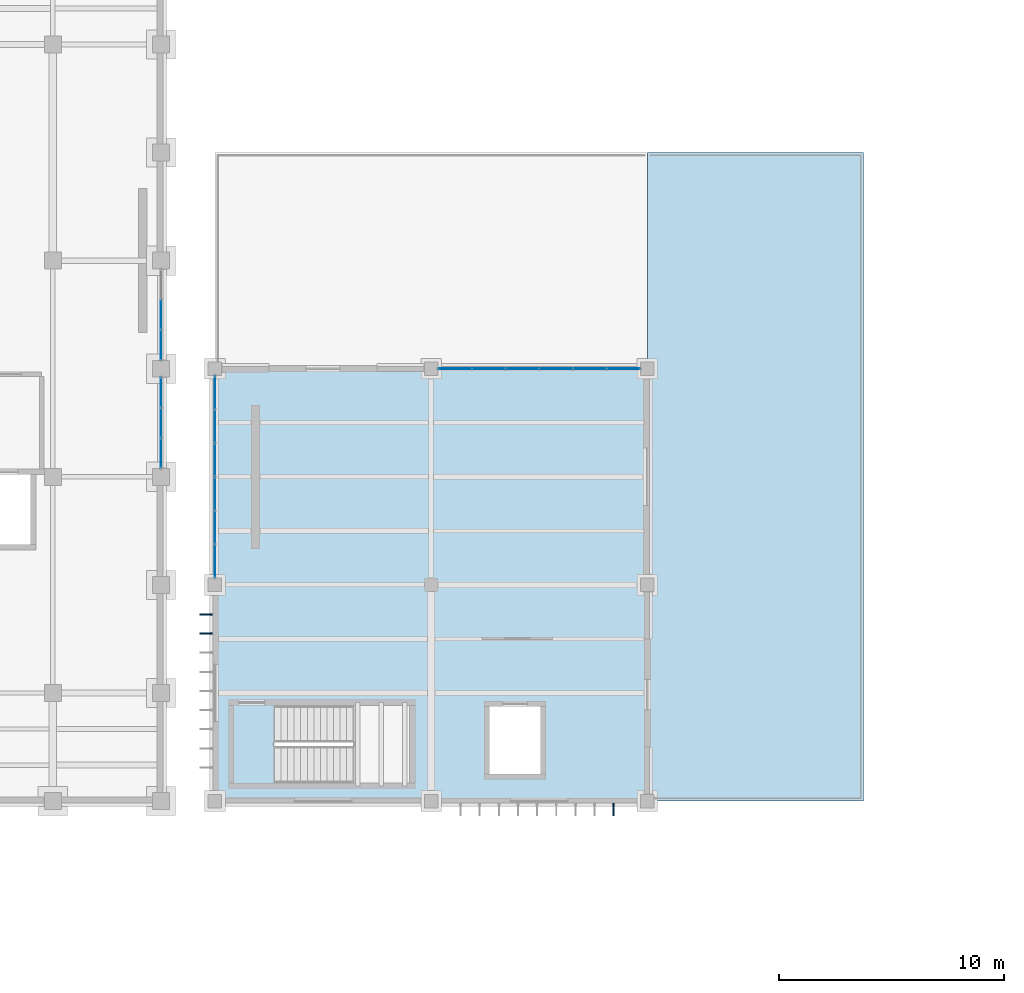
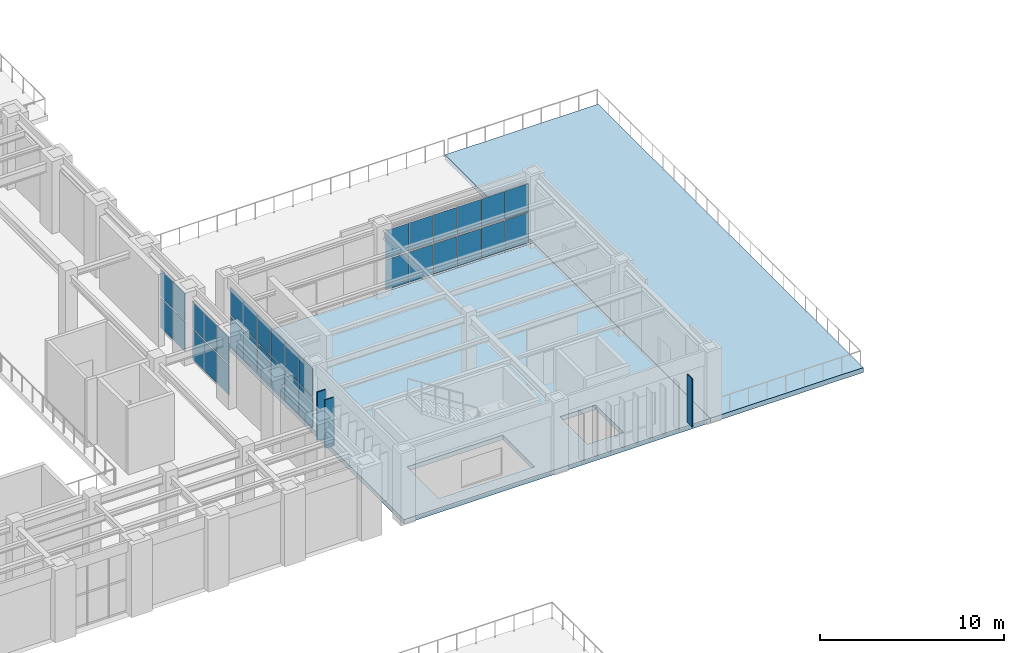
# One storey, part 49 of 83: 37 plates, 2 slabs, 4 elements without a shape of their own.
"""IFC4 building model written with IfcOpenShell, lengths in metres."""

from ifc_helpers import new_model, si_unit, direction, frame, origin, origin_2d, place, context, subcontext, project, spatial, polyline, rectangle, outline, extrude, material, layer, layer_set, type_object, element, aggregate, save


model = new_model("IFC4")

# Units and contexts
model_context = context("Model", 3, precision=1e-05, world=origin(), true_north=direction((0.0, 1.0)))
body_context = subcontext(model_context, "Body", "Model", "MODEL_VIEW")
ifc_project = project(units=[si_unit("LENGTHUNIT", "METRE"), si_unit("AREAUNIT", "SQUARE_METRE"), si_unit("VOLUMEUNIT", "CUBIC_METRE"), si_unit("PLANEANGLEUNIT", "RADIAN"), si_unit("MASSUNIT", "GRAM", prefix="KILO")], contexts=[model_context])

# Site, building, storey
site_placement = place(None, origin())
site = spatial("IfcSite", under=ifc_project, at=site_placement, CompositionType="ELEMENT")
building_placement = place(site_placement, origin())
building = spatial("IfcBuilding", under=site, at=building_placement, Name="Mavantir Sound Aquarium", CompositionType="ELEMENT")
storey_placement = place(building_placement, frame((0.0, 0.0, 10.5)))
storey = spatial("IfcBuildingStorey", under=building, at=storey_placement, Name="L02", CompositionType="ELEMENT", Elevation=10.5)

# Curtain wall, plates
ifc_material_1 = material(Name="Anodised Marine Aluminium and Low-E Glass", Category="aluminium")
curtain_wall_type_1 = type_object("IfcCurtainWallType", Name="CW-T03", PredefinedType="USERDEFINED", material=ifc_material_1)
curtain_wall_1_placement = place(storey_placement, origin())
curtain_wall_1 = element("IfcCurtainWall", 1, at=curtain_wall_1_placement, inside=storey, type_object=curtain_wall_type_1, Name="L02 unitised curtain wall CW-03 123", ObjectType="UNITISED GLAZING", PredefinedType="USERDEFINED")
ifc_material_2 = material(Name="Solar-Control Laminated Low-E Glass", Category="glass")
ifc_layer_1 = layer(ifc_material_2, 0.028076171875, Name="Solar-Control Laminated Low-E Glass")
ifc_layer_set_1 = layer_set([ifc_layer_1], Name="Solar-Control Laminated Low-E Glass")
plate_type_1 = type_object("IfcPlateType", Name="CW-PNL-28", PredefinedType="CURTAIN_PANEL", material=ifc_layer_set_1)
plate_1_placement = place(storey_placement, frame((33.60009765625, 61.055419921875, 0.10302734375), z_axis=(0.0, 0.0, 1.0), x_axis=(0.0, 1.0, 0.0)))
plate_1 = element("IfcPlate", 2, at=plate_1_placement, type_object=plate_type_1, Name="CW-L02-123 glazed curtain panel 1.1", PredefinedType="CURTAIN_PANEL", context=body_context, shape_type="SweptSolid", body=[
    extrude(rectangle(XDim=1.296630859375, YDim=0.028076171875, at=origin_2d()), origin(), (0.0, 0.0, 1.0), 1.959228515625),
])
plate_2_placement = place(storey_placement, frame((33.60009765625, 61.055419921875, 2.158203125), z_axis=(0.0, 0.0, 1.0), x_axis=(0.0, 1.0, 0.0)))
plate_2 = element("IfcPlate", 3, at=plate_2_placement, type_object=plate_type_1, Name="CW-L02-123 glazed curtain panel 1.2", PredefinedType="CURTAIN_PANEL", context=body_context, shape_type="SweptSolid", body=[
    extrude(rectangle(XDim=1.296630859375, YDim=0.028076171875, at=origin_2d()), origin(), (0.0, 0.0, 1.0), 1.796875),
])
plate_3_placement = place(storey_placement, frame((33.60009765625, 62.39990234375, 0.10302734375), z_axis=(0.0, 0.0, 1.0), x_axis=(0.0, 1.0, 0.0)))
plate_3 = element("IfcPlate", 4, at=plate_3_placement, type_object=plate_type_1, Name="CW-L02-123 glazed curtain panel 2.1", PredefinedType="CURTAIN_PANEL", context=body_context, shape_type="SweptSolid", body=[
    extrude(rectangle(XDim=1.296630859375, YDim=0.028076171875, at=origin_2d()), origin(), (0.0, 0.0, 1.0), 1.959228515625),
])
plate_4_placement = place(storey_placement, frame((33.60009765625, 62.39990234375, 2.158203125), z_axis=(0.0, 0.0, 1.0), x_axis=(0.0, 1.0, 0.0)))
plate_4 = element("IfcPlate", 5, at=plate_4_placement, type_object=plate_type_1, Name="CW-L02-123 glazed curtain panel 2.2", PredefinedType="CURTAIN_PANEL", context=body_context, shape_type="SweptSolid", body=[
    extrude(rectangle(XDim=1.296630859375, YDim=0.028076171875, at=origin_2d()), origin(), (0.0, 0.0, 1.0), 1.796875),
])
aggregate(curtain_wall_1, [plate_1, plate_2, plate_3, plate_4])

curtain_wall_type_2 = type_object("IfcCurtainWallType", Name="CW-T05", PredefinedType="USERDEFINED", material=ifc_material_1)
curtain_wall_2_placement = place(storey_placement, origin())
curtain_wall_2 = element("IfcCurtainWall", 6, at=curtain_wall_2_placement, inside=storey, type_object=curtain_wall_type_2, Name="L02 unitised curtain wall CW-05 125", ObjectType="UNITISED GLAZING", PredefinedType="USERDEFINED")
plate_5_placement = place(storey_placement, frame((54.143310546875, 60.0, 0.10302734375), z_axis=(0.0, 0.0, 1.0), x_axis=(-1.0, 0.0, 0.0)))
plate_5 = element("IfcPlate", 7, at=plate_5_placement, type_object=plate_type_1, Name="CW-L02-125 glazed curtain panel 1.1", PredefinedType="CURTAIN_PANEL", context=body_context, shape_type="SweptSolid", body=[
    extrude(rectangle(XDim=1.44921875, YDim=0.028076171875, at=origin_2d()), origin(), (0.0, 0.0, 1.0), 2.000732421875),
])
plate_6_placement = place(storey_placement, frame((54.143310546875, 60.0, 2.19970703125), z_axis=(0.0, 0.0, 1.0), x_axis=(-1.0, 0.0, 0.0)))
plate_6 = element("IfcPlate", 8, at=plate_6_placement, type_object=plate_type_1, Name="CW-L02-125 glazed curtain panel 1.2", PredefinedType="CURTAIN_PANEL", context=body_context, shape_type="SweptSolid", body=[
    extrude(rectangle(XDim=1.44921875, YDim=0.028076171875, at=origin_2d()), origin(), (0.0, 0.0, 1.0), 1.835205078125),
])
plate_7_placement = place(storey_placement, frame((52.64599609375, 60.0, 0.10302734375), z_axis=(0.0, 0.0, 1.0), x_axis=(-1.0, 0.0, 0.0)))
plate_7 = element("IfcPlate", 9, at=plate_7_placement, type_object=plate_type_1, Name="CW-L02-125 glazed curtain panel 2.1", PredefinedType="CURTAIN_PANEL", context=body_context, shape_type="SweptSolid", body=[
    extrude(rectangle(XDim=1.44921875, YDim=0.028076171875, at=origin_2d()), origin(), (0.0, 0.0, 1.0), 2.000732421875),
])
plate_8_placement = place(storey_placement, frame((52.64599609375, 60.0, 2.19970703125), z_axis=(0.0, 0.0, 1.0), x_axis=(-1.0, 0.0, 0.0)))
plate_8 = element("IfcPlate", 10, at=plate_8_placement, type_object=plate_type_1, Name="CW-L02-125 glazed curtain panel 2.2", PredefinedType="CURTAIN_PANEL", context=body_context, shape_type="SweptSolid", body=[
    extrude(rectangle(XDim=1.44921875, YDim=0.028076171875, at=origin_2d()), origin(), (0.0, 0.0, 1.0), 1.835205078125),
])
plate_9_placement = place(storey_placement, frame((51.148681640625, 60.0, 0.10302734375), z_axis=(0.0, 0.0, 1.0), x_axis=(-1.0, 0.0, 0.0)))
plate_9 = element("IfcPlate", 11, at=plate_9_placement, type_object=plate_type_1, Name="CW-L02-125 glazed curtain panel 3.1", PredefinedType="CURTAIN_PANEL", context=body_context, shape_type="SweptSolid", body=[
    extrude(rectangle(XDim=1.44921875, YDim=0.028076171875, at=origin_2d()), origin(), (0.0, 0.0, 1.0), 2.000732421875),
])
plate_10_placement = place(storey_placement, frame((51.148681640625, 60.0, 2.19970703125), z_axis=(0.0, 0.0, 1.0), x_axis=(-1.0, 0.0, 0.0)))
plate_10 = element("IfcPlate", 12, at=plate_10_placement, type_object=plate_type_1, Name="CW-L02-125 glazed curtain panel 3.2", PredefinedType="CURTAIN_PANEL", context=body_context, shape_type="SweptSolid", body=[
    extrude(rectangle(XDim=1.44921875, YDim=0.028076171875, at=origin_2d()), origin(), (0.0, 0.0, 1.0), 1.835205078125),
])
plate_11_placement = place(storey_placement, frame((49.6513671875, 60.0, 0.10302734375), z_axis=(0.0, 0.0, 1.0), x_axis=(-1.0, 0.0, 0.0)))
plate_11 = element("IfcPlate", 13, at=plate_11_placement, type_object=plate_type_1, Name="CW-L02-125 glazed curtain panel 4.1", PredefinedType="CURTAIN_PANEL", context=body_context, shape_type="SweptSolid", body=[
    extrude(rectangle(XDim=1.44921875, YDim=0.028076171875, at=origin_2d()), origin(), (0.0, 0.0, 1.0), 2.000732421875),
])
plate_12_placement = place(storey_placement, frame((49.6513671875, 60.0, 2.19970703125), z_axis=(0.0, 0.0, 1.0), x_axis=(-1.0, 0.0, 0.0)))
plate_12 = element("IfcPlate", 14, at=plate_12_placement, type_object=plate_type_1, Name="CW-L02-125 glazed curtain panel 4.2", PredefinedType="CURTAIN_PANEL", context=body_context, shape_type="SweptSolid", body=[
    extrude(rectangle(XDim=1.44921875, YDim=0.028076171875, at=origin_2d()), origin(), (0.0, 0.0, 1.0), 1.835205078125),
])
plate_13_placement = place(storey_placement, frame((48.154052734375, 60.0, 0.10302734375), z_axis=(0.0, 0.0, 1.0), x_axis=(-1.0, 0.0, 0.0)))
plate_13 = element("IfcPlate", 15, at=plate_13_placement, type_object=plate_type_1, Name="CW-L02-125 glazed curtain panel 5.1", PredefinedType="CURTAIN_PANEL", context=body_context, shape_type="SweptSolid", body=[
    extrude(rectangle(XDim=1.44921875, YDim=0.028076171875, at=origin_2d()), origin(), (0.0, 0.0, 1.0), 2.000732421875),
])
plate_14_placement = place(storey_placement, frame((48.154052734375, 60.0, 2.19970703125), z_axis=(0.0, 0.0, 1.0), x_axis=(-1.0, 0.0, 0.0)))
plate_14 = element("IfcPlate", 16, at=plate_14_placement, type_object=plate_type_1, Name="CW-L02-125 glazed curtain panel 5.2", PredefinedType="CURTAIN_PANEL", context=body_context, shape_type="SweptSolid", body=[
    extrude(rectangle(XDim=1.44921875, YDim=0.028076171875, at=origin_2d()), origin(), (0.0, 0.0, 1.0), 1.835205078125),
])
plate_15_placement = place(storey_placement, frame((46.65673828125, 60.0, 0.10302734375), z_axis=(0.0, 0.0, 1.0), x_axis=(-1.0, 0.0, 0.0)))
plate_15 = element("IfcPlate", 17, at=plate_15_placement, type_object=plate_type_1, Name="CW-L02-125 glazed curtain panel 6.1", PredefinedType="CURTAIN_PANEL", context=body_context, shape_type="SweptSolid", body=[
    extrude(rectangle(XDim=1.44921875, YDim=0.028076171875, at=origin_2d()), origin(), (0.0, 0.0, 1.0), 2.000732421875),
])
plate_16_placement = place(storey_placement, frame((46.65673828125, 60.0, 2.19970703125), z_axis=(0.0, 0.0, 1.0), x_axis=(-1.0, 0.0, 0.0)))
plate_16 = element("IfcPlate", 18, at=plate_16_placement, type_object=plate_type_1, Name="CW-L02-125 glazed curtain panel 6.2", PredefinedType="CURTAIN_PANEL", context=body_context, shape_type="SweptSolid", body=[
    extrude(rectangle(XDim=1.44921875, YDim=0.028076171875, at=origin_2d()), origin(), (0.0, 0.0, 1.0), 1.835205078125),
])
aggregate(curtain_wall_2, [plate_5, plate_6, plate_7, plate_8, plate_9, plate_10, plate_11, plate_12, plate_13, plate_14, plate_15, plate_16])

curtain_wall_type_3 = type_object("IfcCurtainWallType", Name="CW-T02", PredefinedType="USERDEFINED", material=ifc_material_1)
curtain_wall_3_placement = place(storey_placement, origin())
curtain_wall_3 = element("IfcCurtainWall", 19, at=curtain_wall_3_placement, inside=storey, type_object=curtain_wall_type_3, Name="L02 unitised curtain wall CW-02 122", ObjectType="UNITISED GLAZING", PredefinedType="USERDEFINED")
ifc_layer_2 = layer(ifc_material_2, 0.031982421875, Name="Solar-Control Laminated Low-E Glass")
ifc_layer_set_2 = layer_set([ifc_layer_2], Name="Solar-Control Laminated Low-E Glass")
plate_type_2 = type_object("IfcPlateType", Name="CW-PNL-32", PredefinedType="CURTAIN_PANEL", material=ifc_layer_set_2)
plate_17_placement = place(storey_placement, frame((33.60009765625, 56.25537109375, 0.10302734375), z_axis=(0.0, 0.0, 1.0), x_axis=(0.0, 1.0, 0.0)))
plate_17 = element("IfcPlate", 20, at=plate_17_placement, type_object=plate_type_2, Name="CW-L02-122 glazed curtain panel 1.1", PredefinedType="CURTAIN_PANEL", context=body_context, shape_type="SweptSolid", body=[
    extrude(rectangle(XDim=1.296630859375, YDim=0.031982421875, at=origin_2d()), origin(), (0.0, 0.0, 1.0), 1.959228515625),
])
plate_18_placement = place(storey_placement, frame((33.60009765625, 56.25537109375, 2.158203125), z_axis=(0.0, 0.0, 1.0), x_axis=(0.0, 1.0, 0.0)))
plate_18 = element("IfcPlate", 21, at=plate_18_placement, type_object=plate_type_2, Name="CW-L02-122 glazed curtain panel 1.2", PredefinedType="CURTAIN_PANEL", context=body_context, shape_type="SweptSolid", body=[
    extrude(rectangle(XDim=1.296630859375, YDim=0.031982421875, at=origin_2d()), origin(), (0.0, 0.0, 1.0), 1.796875),
])
plate_19_placement = place(storey_placement, frame((33.60009765625, 57.60009765625, 0.10302734375), z_axis=(0.0, 0.0, 1.0), x_axis=(0.0, 1.0, 0.0)))
plate_19 = element("IfcPlate", 22, at=plate_19_placement, type_object=plate_type_2, Name="CW-L02-122 glazed curtain panel 2.1", PredefinedType="CURTAIN_PANEL", context=body_context, shape_type="SweptSolid", body=[
    extrude(rectangle(XDim=1.296630859375, YDim=0.031982421875, at=origin_2d()), origin(), (0.0, 0.0, 1.0), 1.959228515625),
])
plate_20_placement = place(storey_placement, frame((33.60009765625, 57.60009765625, 2.158203125), z_axis=(0.0, 0.0, 1.0), x_axis=(0.0, 1.0, 0.0)))
plate_20 = element("IfcPlate", 23, at=plate_20_placement, type_object=plate_type_2, Name="CW-L02-122 glazed curtain panel 2.2", PredefinedType="CURTAIN_PANEL", context=body_context, shape_type="SweptSolid", body=[
    extrude(rectangle(XDim=1.296630859375, YDim=0.031982421875, at=origin_2d()), origin(), (0.0, 0.0, 1.0), 1.796875),
])
plate_21_placement = place(storey_placement, frame((33.60009765625, 58.944580078125, 0.10302734375), z_axis=(0.0, 0.0, 1.0), x_axis=(0.0, 1.0, 0.0)))
plate_21 = element("IfcPlate", 24, at=plate_21_placement, type_object=plate_type_2, Name="CW-L02-122 glazed curtain panel 3.1", PredefinedType="CURTAIN_PANEL", context=body_context, shape_type="SweptSolid", body=[
    extrude(rectangle(XDim=1.296630859375, YDim=0.031982421875, at=origin_2d()), origin(), (0.0, 0.0, 1.0), 1.959228515625),
])
plate_22_placement = place(storey_placement, frame((33.60009765625, 58.944580078125, 2.158203125), z_axis=(0.0, 0.0, 1.0), x_axis=(0.0, 1.0, 0.0)))
plate_22 = element("IfcPlate", 25, at=plate_22_placement, type_object=plate_type_2, Name="CW-L02-122 glazed curtain panel 3.2", PredefinedType="CURTAIN_PANEL", context=body_context, shape_type="SweptSolid", body=[
    extrude(rectangle(XDim=1.296630859375, YDim=0.031982421875, at=origin_2d()), origin(), (0.0, 0.0, 1.0), 1.796875),
])
aggregate(curtain_wall_3, [plate_17, plate_18, plate_19, plate_20, plate_21, plate_22])

curtain_wall_type_4 = type_object("IfcCurtainWallType", Name="CW-T06", PredefinedType="USERDEFINED", material=ifc_material_1)
curtain_wall_4_placement = place(storey_placement, origin())
curtain_wall_4 = element("IfcCurtainWall", 26, at=curtain_wall_4_placement, inside=storey, type_object=curtain_wall_type_4, Name="L02 unitised curtain wall CW-06 126", ObjectType="UNITISED GLAZING", PredefinedType="USERDEFINED")
plate_23_placement = place(storey_placement, frame((36.0, 58.943359375, 0.10302734375), z_axis=(0.0, 0.0, 1.0), x_axis=(0.0, -1.0, 0.0)))
plate_23 = element("IfcPlate", 27, at=plate_23_placement, type_object=plate_type_2, Name="CW-L02-126 glazed curtain panel 1.1", PredefinedType="CURTAIN_PANEL", context=body_context, shape_type="SweptSolid", body=[
    extrude(rectangle(XDim=1.44921875, YDim=0.031982421875, at=origin_2d()), origin(), (0.0, 0.0, 1.0), 1.977294921875),
])
plate_24_placement = place(storey_placement, frame((36.0, 58.943359375, 2.17626953125), z_axis=(0.0, 0.0, 1.0), x_axis=(0.0, -1.0, 0.0)))
plate_24 = element("IfcPlate", 28, at=plate_24_placement, type_object=plate_type_2, Name="CW-L02-126 glazed curtain panel 1.2", PredefinedType="CURTAIN_PANEL", context=body_context, shape_type="SweptSolid", body=[
    extrude(rectangle(XDim=1.44921875, YDim=0.031982421875, at=origin_2d()), origin(), (0.0, 0.0, 1.0), 1.813720703125),
])
plate_25_placement = place(storey_placement, frame((36.0, 57.446044921875, 0.10302734375), z_axis=(0.0, 0.0, 1.0), x_axis=(0.0, -1.0, 0.0)))
plate_25 = element("IfcPlate", 29, at=plate_25_placement, type_object=plate_type_2, Name="CW-L02-126 glazed curtain panel 2.1", PredefinedType="CURTAIN_PANEL", context=body_context, shape_type="SweptSolid", body=[
    extrude(rectangle(XDim=1.44921875, YDim=0.031982421875, at=origin_2d()), origin(), (0.0, 0.0, 1.0), 1.977294921875),
])
plate_26_placement = place(storey_placement, frame((36.0, 57.446044921875, 2.17626953125), z_axis=(0.0, 0.0, 1.0), x_axis=(0.0, -1.0, 0.0)))
plate_26 = element("IfcPlate", 30, at=plate_26_placement, type_object=plate_type_2, Name="CW-L02-126 glazed curtain panel 2.2", PredefinedType="CURTAIN_PANEL", context=body_context, shape_type="SweptSolid", body=[
    extrude(rectangle(XDim=1.44921875, YDim=0.031982421875, at=origin_2d()), origin(), (0.0, 0.0, 1.0), 1.813720703125),
])
plate_27_placement = place(storey_placement, frame((36.0, 55.94873046875, 0.10302734375), z_axis=(0.0, 0.0, 1.0), x_axis=(0.0, -1.0, 0.0)))
plate_27 = element("IfcPlate", 31, at=plate_27_placement, type_object=plate_type_2, Name="CW-L02-126 glazed curtain panel 3.1", PredefinedType="CURTAIN_PANEL", context=body_context, shape_type="SweptSolid", body=[
    extrude(rectangle(XDim=1.44921875, YDim=0.031982421875, at=origin_2d()), origin(), (0.0, 0.0, 1.0), 1.977294921875),
])
plate_28_placement = place(storey_placement, frame((36.0, 55.94873046875, 2.17626953125), z_axis=(0.0, 0.0, 1.0), x_axis=(0.0, -1.0, 0.0)))
plate_28 = element("IfcPlate", 32, at=plate_28_placement, type_object=plate_type_2, Name="CW-L02-126 glazed curtain panel 3.2", PredefinedType="CURTAIN_PANEL", context=body_context, shape_type="SweptSolid", body=[
    extrude(rectangle(XDim=1.44921875, YDim=0.031982421875, at=origin_2d()), origin(), (0.0, 0.0, 1.0), 1.813720703125),
])
plate_29_placement = place(storey_placement, frame((36.0, 54.451416015625, 0.10302734375), z_axis=(0.0, 0.0, 1.0), x_axis=(0.0, -1.0, 0.0)))
plate_29 = element("IfcPlate", 33, at=plate_29_placement, type_object=plate_type_2, Name="CW-L02-126 glazed curtain panel 4.1", PredefinedType="CURTAIN_PANEL", context=body_context, shape_type="SweptSolid", body=[
    extrude(rectangle(XDim=1.44921875, YDim=0.031982421875, at=origin_2d()), origin(), (0.0, 0.0, 1.0), 1.977294921875),
])
plate_30_placement = place(storey_placement, frame((36.0, 54.451416015625, 2.17626953125), z_axis=(0.0, 0.0, 1.0), x_axis=(0.0, -1.0, 0.0)))
plate_30 = element("IfcPlate", 34, at=plate_30_placement, type_object=plate_type_2, Name="CW-L02-126 glazed curtain panel 4.2", PredefinedType="CURTAIN_PANEL", context=body_context, shape_type="SweptSolid", body=[
    extrude(rectangle(XDim=1.44921875, YDim=0.031982421875, at=origin_2d()), origin(), (0.0, 0.0, 1.0), 1.813720703125),
])
plate_31_placement = place(storey_placement, frame((36.0, 52.9541015625, 0.10302734375), z_axis=(0.0, 0.0, 1.0), x_axis=(0.0, -1.0, 0.0)))
plate_31 = element("IfcPlate", 35, at=plate_31_placement, type_object=plate_type_2, Name="CW-L02-126 glazed curtain panel 5.1", PredefinedType="CURTAIN_PANEL", context=body_context, shape_type="SweptSolid", body=[
    extrude(rectangle(XDim=1.44921875, YDim=0.031982421875, at=origin_2d()), origin(), (0.0, 0.0, 1.0), 1.977294921875),
])
plate_32_placement = place(storey_placement, frame((36.0, 52.9541015625, 2.17626953125), z_axis=(0.0, 0.0, 1.0), x_axis=(0.0, -1.0, 0.0)))
plate_32 = element("IfcPlate", 36, at=plate_32_placement, type_object=plate_type_2, Name="CW-L02-126 glazed curtain panel 5.2", PredefinedType="CURTAIN_PANEL", context=body_context, shape_type="SweptSolid", body=[
    extrude(rectangle(XDim=1.44921875, YDim=0.031982421875, at=origin_2d()), origin(), (0.0, 0.0, 1.0), 1.813720703125),
])
plate_33_placement = place(storey_placement, frame((36.0, 51.456787109375, 0.10302734375), z_axis=(0.0, 0.0, 1.0), x_axis=(0.0, -1.0, 0.0)))
plate_33 = element("IfcPlate", 37, at=plate_33_placement, type_object=plate_type_2, Name="CW-L02-126 glazed curtain panel 6.1", PredefinedType="CURTAIN_PANEL", context=body_context, shape_type="SweptSolid", body=[
    extrude(rectangle(XDim=1.44921875, YDim=0.031982421875, at=origin_2d()), origin(), (0.0, 0.0, 1.0), 1.977294921875),
])
plate_34_placement = place(storey_placement, frame((36.0, 51.456787109375, 2.17626953125), z_axis=(0.0, 0.0, 1.0), x_axis=(0.0, -1.0, 0.0)))
plate_34 = element("IfcPlate", 38, at=plate_34_placement, type_object=plate_type_2, Name="CW-L02-126 glazed curtain panel 6.2", PredefinedType="CURTAIN_PANEL", context=body_context, shape_type="SweptSolid", body=[
    extrude(rectangle(XDim=1.44921875, YDim=0.031982421875, at=origin_2d()), origin(), (0.0, 0.0, 1.0), 1.813720703125),
])
aggregate(curtain_wall_4, [plate_23, plate_24, plate_25, plate_26, plate_27, plate_28, plate_29, plate_30, plate_31, plate_32, plate_33, plate_34])

# Plates
ifc_material_3 = material(Name="Coral-Limestone Composite Brise-Soleil Blade", Category="masonry")
ifc_layer_3 = layer(ifc_material_3, 0.06494140625, Name="Coral-Limestone Composite Brise-Soleil Blade")
ifc_layer_set_3 = layer_set([ifc_layer_3], Name="Coral-Limestone Composite Brise-Soleil Blade")
plate_type_3 = type_object("IfcPlateType", Name="PLT-FIN-520", PredefinedType="SHEET", material=ifc_layer_set_3)
for number, where, z_axis, x_axis, name in (
    (39, (35.60498046875, 49.092041015625, 0.46630859375), (0.0, 0.0, 1.0), (0.0, 1.0, 0.0), "Tropical coral-stone brise-soleil blade 116"),
    (40, (35.60498046875, 48.241943359375, 0.46630859375), (0.0, 0.0, 1.0), (0.0, 1.0, 0.0), "Tropical coral-stone brise-soleil blade 117"),
    (41, (53.7080078125, 40.425048828125, 0.33740234375), (0.0, 0.0, 1.0), (-1.0, 0.0, 0.0), "Tropical coral-stone brise-soleil blade 133"),
):
    element("IfcPlate", number, at=place(storey_placement, frame(where, z_axis=z_axis, x_axis=x_axis)), inside=storey, type_object=plate_type_3, Name=name, PredefinedType="SHEET", context=body_context, shape_type="SweptSolid", body=[
        extrude(rectangle(XDim=0.06494140625, YDim=0.5400390625, at=origin_2d()), origin(), (0.0, 0.0, 1.0), 3.199951171875),
    ])

# Slabs
ifc_material_4 = material(Name="Concrete C40/50", Category="concrete")
ifc_layer_4 = layer(ifc_material_4, 0.300048828125, Name="Concrete C40/50")
ifc_layer_set_4 = layer_set([ifc_layer_4], Name="Concrete C40/50")
slab_type_1 = type_object("IfcSlabType", Name="SLB-FS-03", PredefinedType="FLOOR", material=ifc_layer_set_4)
slab_1_placement = place(storey_placement, frame((0.0, 0.0, -0.300048828125)))
element("IfcSlab", 42, at=slab_1_placement, inside=storey, type_object=slab_type_1, Name="L02 structural slab FS-03 (V2)", PredefinedType="FLOOR", context=body_context, shape_type="SweptSolid", body=[
    extrude(outline(polyline([(55.199951171875, 40.800048828125), (55.199951171875, 60.0), (36.0, 60.0), (36.0, 40.800048828125), (55.199951171875, 40.800048828125)]), holes=[polyline([(38.64990234375, 41.60009765625), (44.64990234375, 41.60009765625), (44.64990234375, 45.050048828125), (38.64990234375, 45.050048828125), (38.64990234375, 41.60009765625)]), polyline([(48.199951171875, 42.0), (50.449951171875, 42.0), (50.449951171875, 45.0), (48.199951171875, 45.0), (48.199951171875, 42.0)])]), origin(), (0.0, 0.0, 1.0), 0.300048828125),
])
ifc_layer_5 = layer(ifc_material_4, 0.320068359375, Name="Concrete C40/50")
ifc_layer_set_5 = layer_set([ifc_layer_5], Name="Concrete C40/50")
slab_type_2 = type_object("IfcSlabType", Name="SLB-TRS-01", PredefinedType="FLOOR", material=ifc_layer_set_5)
slab_2_placement = place(storey_placement, frame((0.0, 0.0, -0.320068359375)))
element("IfcSlab", 43, at=slab_2_placement, inside=storey, type_object=slab_type_2, Name="L02 outdoor terrace slab TRS-01", PredefinedType="FLOOR", context=body_context, shape_type="SweptSolid", body=[
    extrude(outline(polyline([(55.199951171875, 40.800048828125), (64.800048828125, 40.800048828125), (64.800048828125, 69.60009765625), (55.199951171875, 69.60009765625), (55.199951171875, 40.800048828125)])), origin(), (0.0, 0.0, 1.0), 0.320068359375),
])

save(model, "model.ifc")
